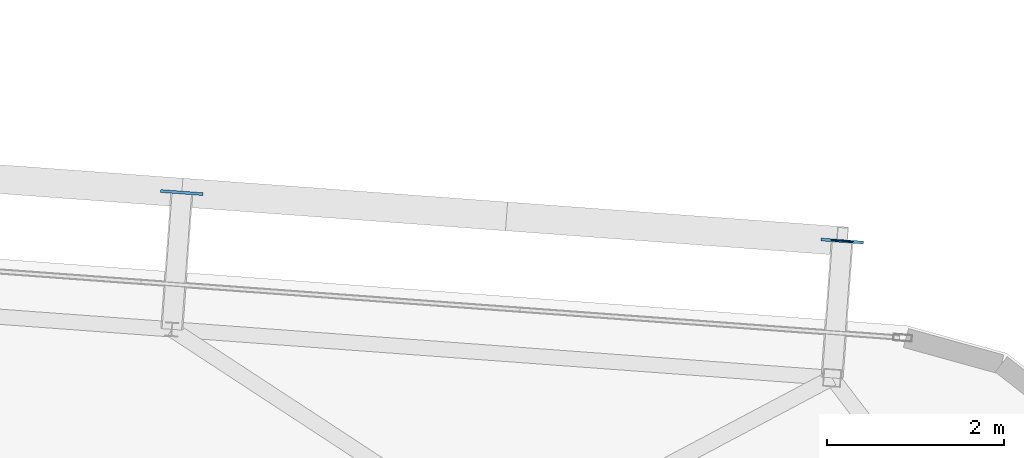
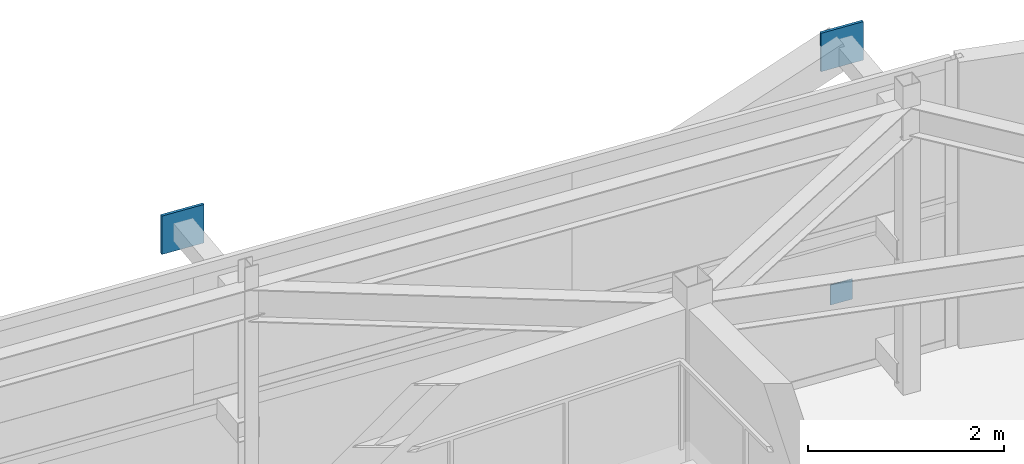
# One storey, part 30 of 35: 3 plates.
"""IFC4 building model written with IfcOpenShell, lengths in metres."""

from ifc_helpers import new_model, si_unit, direction, frame, origin, origin_2d, place, context, subcontext, project, spatial, rectangle, extrude, source, transform, mapped, material, layer, layer_set, type_object, element, save


model = new_model("IFC4")

# Units and contexts
model_context = context("Model", 3, precision=1e-05, world=origin(), true_north=direction((0.0, 1.0)))
body_context = subcontext(model_context, "Body", "Model", "MODEL_VIEW")
ifc_project = project(units=[si_unit("LENGTHUNIT", "METRE"), si_unit("AREAUNIT", "SQUARE_METRE"), si_unit("VOLUMEUNIT", "CUBIC_METRE"), si_unit("PLANEANGLEUNIT", "RADIAN"), si_unit("MASSUNIT", "GRAM", prefix="KILO")], contexts=[model_context])

# Site, building, storey
site_placement = place(None, origin())
site = spatial("IfcSite", under=ifc_project, at=site_placement, CompositionType="ELEMENT")
building_placement = place(site_placement, origin())
building = spatial("IfcBuilding", under=site, at=building_placement, Name="Taldren Reach Tower", CompositionType="ELEMENT")
storey_placement = place(building_placement, frame((0.0, 0.0, 249.199951171875)))
storey = spatial("IfcBuildingStorey", under=building, at=storey_placement, Name="L76", CompositionType="ELEMENT", Elevation=249.199951171875)

# Plates
ifc_material_1 = material(Name="Steel Gr 350 (C350L0)", Category="steel")
ifc_layer_1 = layer(ifc_material_1, 0.011962890625)
ifc_layer_set_1 = layer_set([ifc_layer_1], Name="Steel Gr 350 (C350L0)")
plate_type_1 = type_object("IfcPlateType", Name="PL-CAP-250", PredefinedType="SHEET", material=ifc_layer_set_1)
shared_shape_1 = source(origin(), body_context, "Body", "SweptSolid", [
    extrude(rectangle(XDim=0.25, YDim=0.011962890625, at=origin_2d()), origin(), (0.0, 0.0, 1.0), 0.25),
])
plate_placement = place(storey_placement, frame((54.773193359375, 35.49169921875, 0.094970703125), z_axis=(0.0, 0.0, 1.0), x_axis=(0.997314477224, -0.073238197128, 0.0)))
element("IfcPlate", 1, at=plate_placement, inside=storey, type_object=plate_type_1, Name="Tie strut end cap plate B5-N6 L76", PredefinedType="SHEET", context=body_context, shape_type="MappedRepresentation", body=[
    mapped(shared_shape_1, transform((0.0, 0.0, 0.0), scale=1.0)),
])
ifc_material_2 = material(Name="Steel Gr 450 (C450L0)", Category="steel")
ifc_layer_2 = layer(ifc_material_2, 0.031982421875)
ifc_layer_set_2 = layer_set([ifc_layer_2], Name="Steel Gr 450 (C450L0)")
plate_type_2 = type_object("IfcPlateType", Name="PL-GUSSET-32", PredefinedType="SHEET", material=ifc_layer_set_2)
shared_shape_2 = source(origin(), body_context, "Body", "SweptSolid", [
    extrude(rectangle(XDim=0.47998046875, YDim=0.031982421875, at=origin_2d()), origin(), (0.0, 0.0, 1.0), 0.47998046875),
])
for number, where, z_axis, x_axis, name in (
    (2, (47.31298828125, 36.033447265625, 3.050048828125), (0.0, 0.0, 1.0), (0.997314477224, -0.073238197128, 0.0), "Exoskeleton star-node gusset plate B5-N5 L76"),
    (3, (54.77294921875, 35.485595703125, 3.050048828125), (0.0, 0.0, 1.0), (0.997314477224, -0.073238197128, 0.0), "Exoskeleton star-node gusset plate B5-N6 L76"),
):
    element("IfcPlate", number, at=place(storey_placement, frame(where, z_axis=z_axis, x_axis=x_axis)), inside=storey, type_object=plate_type_2, Name=name, PredefinedType="SHEET", context=body_context, shape_type="MappedRepresentation", body=[
        mapped(shared_shape_2, transform((0.0, 0.0, 0.0), scale=1.0)),
    ])

save(model, "model.ifc")
